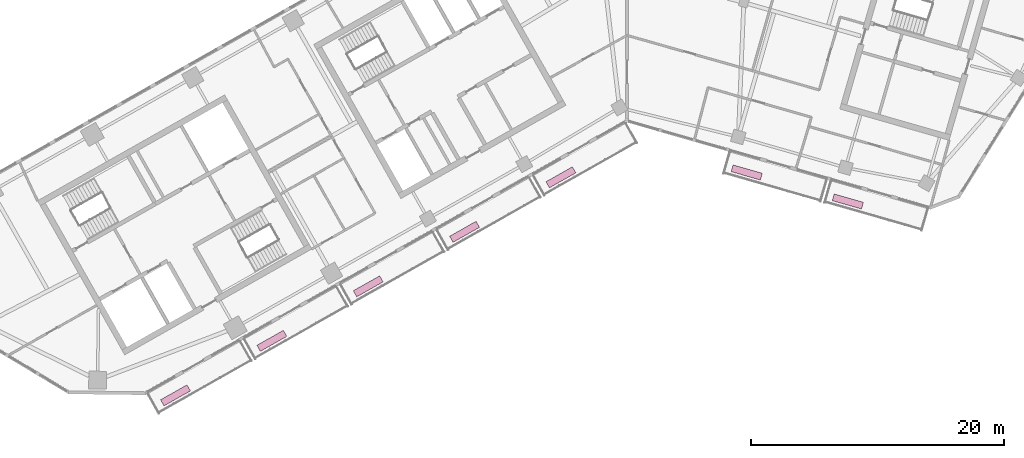
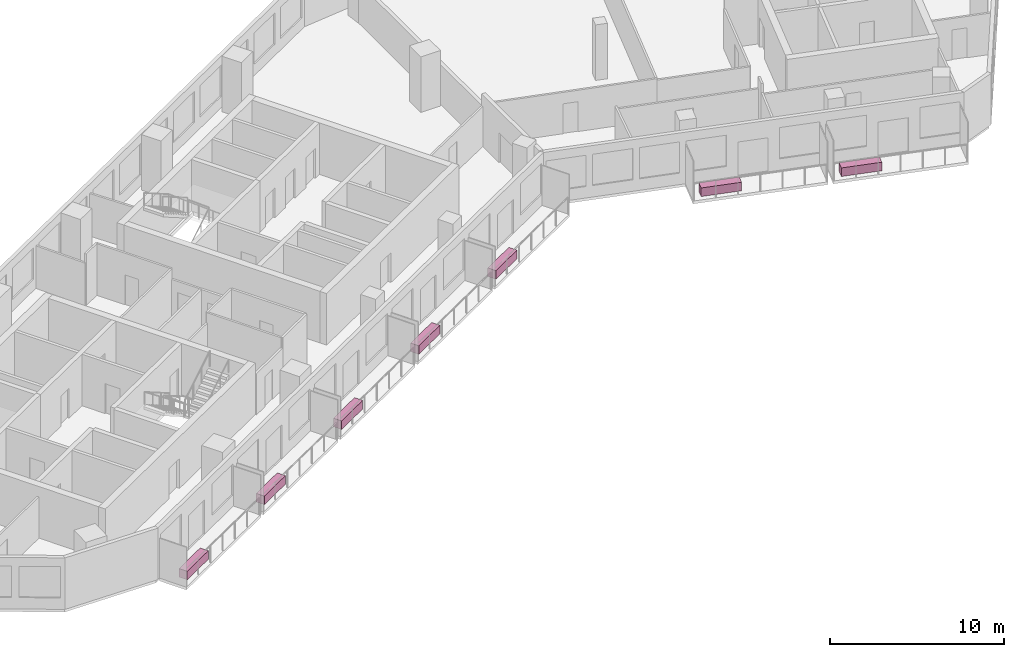
# One storey, part 12 of 12: 7 furnishings.
"""IFC4 building model written with IfcOpenShell, lengths in metres."""

import ifcopenshell
import ifcopenshell.guid

model = None  # the IFC model being written
_history = None  # IfcOwnerHistory: only IFC2X3 demands one
_inside = {}  # id of a spatial element -> (the spatial element, [elements in it])
_under = {}  # id of a project, library or spatial element -> (it, [spatial elements below it])
_declared = {}  # id of a project -> (the project, [libraries it declares])
_typed = {}  # id of a type object -> (the type object, [elements of that type])
_made_of = {}  # id of a material, layer set ... -> (it, [elements and type objects made of it])


def new_model(schema):
    """Start an empty IFC model of exactly this schema.

    Asked for "IFC4X3", IfcOpenShell would pick the latest addendum, in which some entities
    have other attributes; the version numbers below select the first issue.
    IFC2X3 requires an IfcOwnerHistory on every rooted entity: one is made here for all.
    """
    global model, _history
    if schema == "IFC4X3":
        model = ifcopenshell.file(schema_version=(4, 3, 0, 0))
    else:
        model = ifcopenshell.file(schema=schema)
    _inside.clear()
    _under.clear()
    _declared.clear()
    _typed.clear()
    _made_of.clear()
    _history = None
    if model.schema == "IFC2X3":
        org = make("IfcOrganization", Name="unknown")
        user = make(
            "IfcPersonAndOrganization",
            ThePerson=make("IfcPerson", FamilyName="unknown"),
            TheOrganization=org,
        )
        app = make(
            "IfcApplication",
            ApplicationDeveloper=org,
            Version="unknown",
            ApplicationFullName="unknown",
            ApplicationIdentifier="unknown",
        )
        _history = make(
            "IfcOwnerHistory",
            OwningUser=user,
            OwningApplication=app,
            ChangeAction="ADDED",
            CreationDate=0,
        )
    return model


def make(cls, **values):
    """One entity of the class cls with the attributes given. An attribute that is None is left unset."""
    return model.create_entity(
        cls, **{name: value for name, value in values.items() if value is not None}
    )


def rooted(cls, **values):
    """An entity with a GlobalId (a new one), such as an element, a storey or a relation."""
    return make(cls, GlobalId=ifcopenshell.guid.new(), OwnerHistory=_history, **values)


def si_unit(unit_type, name, prefix=None):
    """IfcSIUnit, for example si_unit("LENGTHUNIT", "METRE", prefix="MILLI")."""
    return make("IfcSIUnit", UnitType=unit_type, Prefix=prefix, Name=name)


def assignment(units):
    """IfcUnitAssignment: the units of a project."""
    return None if units is None else make("IfcUnitAssignment", Units=units)


def point(xyz):
    """IfcCartesianPoint."""
    return None if xyz is None else make("IfcCartesianPoint", Coordinates=xyz)


def direction(xyz):
    """IfcDirection."""
    return None if xyz is None else make("IfcDirection", DirectionRatios=xyz)


def frame(location, z_axis=None, x_axis=None):
    """IfcAxis2Placement3D, a coordinate frame: its origin and axes. An axis left out is left unset."""
    return make(
        "IfcAxis2Placement3D",
        Location=point(location),
        Axis=direction(z_axis),
        RefDirection=direction(x_axis),
    )


def frame_2d(location, x_axis=None):
    """IfcAxis2Placement2D, a coordinate frame in the plane: its origin and x axis."""
    return make(
        "IfcAxis2Placement2D", Location=point(location), RefDirection=direction(x_axis)
    )


def origin():
    """The frame at (0, 0, 0) with its axes left unset."""
    return frame((0.0, 0.0, 0.0))


def origin_2d():
    """The frame at (0, 0) in the plane with its x axis left unset."""
    return frame_2d((0.0, 0.0))


def place(relative_to, where):
    """IfcLocalPlacement: puts the frame where relative to a parent placement (None: the world)."""
    return make(
        "IfcLocalPlacement", PlacementRelTo=relative_to, RelativePlacement=where
    )


def context(
    kind, dimensions, precision=None, world=None, true_north=None, identifier=None
):
    """IfcGeometricRepresentationContext, for example the 3D "Model" context."""
    return make(
        "IfcGeometricRepresentationContext",
        ContextIdentifier=identifier,
        ContextType=kind,
        CoordinateSpaceDimension=dimensions,
        Precision=precision,
        WorldCoordinateSystem=world,
        TrueNorth=true_north,
    )


def subcontext(parent, identifier, kind, view, scale=None):
    """IfcGeometricRepresentationSubContext, for example "Body" below "Model"."""
    return make(
        "IfcGeometricRepresentationSubContext",
        ContextIdentifier=identifier,
        ContextType=kind,
        ParentContext=parent,
        TargetScale=scale,
        TargetView=view,
    )


def project(units=None, contexts=None):
    """IfcProject with its units and contexts."""
    return rooted(
        "IfcProject",
        Name="project",
        RepresentationContexts=contexts,
        UnitsInContext=assignment(units),
    )


def spatial(cls, under=None, at=None, **own):
    """A site, building, storey or space (cls), placed at a placement, below another one or the project."""
    s = rooted(cls, ObjectPlacement=at, **own)
    if under is not None:
        _under.setdefault(under.id(), (under, []))[1].append(s)
    return s


def profile(cls, at=None, kind="AREA", **sizes):
    """A parametric profile (cls). Its sizes go by their IFC names, for example OverallWidth=200.0."""
    return make(cls, ProfileType=kind, Position=at, **sizes)


def rectangle(**sizes):
    """IfcRectangleProfileDef."""
    return profile("IfcRectangleProfileDef", **sizes)


def extrude(swept, where, along, depth):
    """IfcExtrudedAreaSolid: the profile swept, set in the frame where, extruded along a direction by depth."""
    return make(
        "IfcExtrudedAreaSolid",
        SweptArea=swept,
        Position=where,
        ExtrudedDirection=direction(along),
        Depth=depth,
    )


def shape(context_of_items, identifier, shape_type, items):
    """IfcShapeRepresentation: the items that make up one representation, for example the "Body"."""
    return make(
        "IfcShapeRepresentation",
        ContextOfItems=context_of_items,
        RepresentationIdentifier=identifier,
        RepresentationType=shape_type,
        Items=items,
    )


def material(Name=None, Category=None):
    """IfcMaterial."""
    return make("IfcMaterial", Name=Name, Category=Category)


def made_of(thing, what):
    """Note that an element or type object is made of a material, layer set ...; save() writes the relation."""
    if what is not None:
        _made_of.setdefault(what.id(), (what, []))[1].append(thing)
    return thing


def type_object(cls, material=None, **own):
    """A type object (cls), such as IfcWallType, which elements share."""
    return made_of(rooted(cls, **own), material)


def element(
    cls,
    number,
    at=None,
    inside=None,
    cuts=None,
    type_object=None,
    material=None,
    context=None,
    identifier="Body",
    shape_type=None,
    held_by="IfcProductDefinitionShape",
    body=None,
    shapes=None,
    **own,
):
    """One element of the class cls, such as IfcWall. Its Tag is "e" and its number.

    at: its placement. inside: the storey or other place that contains it. cuts: it is an
    opening in that element (IfcRelVoidsElement). A single representation is given by context,
    identifier, shape_type and body (its items); several are given by shapes. held_by: the class
    of the entity that holds the representations. save() writes the other relations.
    """
    e = rooted(cls, Tag="e%d" % number, ObjectPlacement=at, **own)
    if body is not None:
        shapes = [shape(context, identifier, shape_type, body)]
    if shapes is not None:
        e.Representation = make(held_by, Representations=shapes)
    if inside is not None:
        _inside.setdefault(inside.id(), (inside, []))[1].append(e)
    if cuts is not None:
        rooted(
            "IfcRelVoidsElement", RelatingBuildingElement=cuts, RelatedOpeningElement=e
        )
    if type_object is not None:
        _typed.setdefault(type_object.id(), (type_object, []))[1].append(e)
    return made_of(e, material)


def aggregate(whole, parts):
    """IfcRelAggregates: a whole, such as a stair, and the parts it consists of."""
    return rooted("IfcRelAggregates", RelatingObject=whole, RelatedObjects=parts)


def save(model, path):
    """Write the relations noted so far, then the file.

    IfcRelAggregates (storeys below a building ...), IfcRelContainedInSpatialStructure (elements
    in a storey), IfcRelDefinesByType, IfcRelAssociatesMaterial and IfcRelDeclares: one each for
    every whole, place, type object, material and project.
    """
    for whole, parts in _under.values():
        aggregate(whole, parts)
    for where, things in _inside.values():
        rooted(
            "IfcRelContainedInSpatialStructure",
            RelatedElements=things,
            RelatingStructure=where,
        )
    for kind, things in _typed.values():
        rooted("IfcRelDefinesByType", RelatedObjects=things, RelatingType=kind)
    for what, things in _made_of.values():
        rooted("IfcRelAssociatesMaterial", RelatedObjects=things, RelatingMaterial=what)
    for by, libraries in _declared.values():
        rooted("IfcRelDeclares", RelatingContext=by, RelatedDefinitions=libraries)
    model.write(path)


model = new_model("IFC4")

# Units and contexts
model_context = context("Model", 3, precision=1e-05, world=origin(), true_north=direction((0.0, 1.0)))
body_context = subcontext(model_context, "Body", "Model", "MODEL_VIEW")
ifc_project = project(units=[si_unit("LENGTHUNIT", "METRE"), si_unit("AREAUNIT", "SQUARE_METRE"), si_unit("VOLUMEUNIT", "CUBIC_METRE"), si_unit("PLANEANGLEUNIT", "RADIAN"), si_unit("MASSUNIT", "GRAM", prefix="KILO")], contexts=[model_context])

# Site, building, storey
site_placement = place(None, origin())
site = spatial("IfcSite", under=ifc_project, at=site_placement, CompositionType="ELEMENT")
building_placement = place(site_placement, origin())
building = spatial("IfcBuilding", under=site, at=building_placement, Name="Binnacle Exchange Tower", CompositionType="ELEMENT")
storey_placement = place(building_placement, frame((0.0, 0.0, 211.39990234375)))
storey = spatial("IfcBuildingStorey", under=building, at=storey_placement, Name="L46", CompositionType="ELEMENT", Elevation=211.39990234375)

# Furnishings
ifc_material = material(Name="Concrete C35/45", Category="concrete")
furnishing_element_type = type_object("IfcFurnishingElementType", Name="PLANTER 2400x550x600", material=ifc_material)
for number, where, z_axis, x_axis, name in (
    (1, (-35.698486328125, 26.2861328125, 0.0), (0.0, 0.0, 1.0), (0.87035569594, 0.492423560103, 0.0), "Planter G01-B00a L46"),
    (2, (-28.078857421875, 30.59716796875, 0.0), (0.0, 0.0, 1.0), (0.87035569594, 0.492423560103, 0.0), "Planter G01-B01a L46"),
    (3, (-20.459228515625, 34.908203125, 0.0), (0.0, 0.0, 1.0), (0.87035569594, 0.492423560103, 0.0), "Planter G01-B02a L46"),
    (4, (-12.839599609375, 39.218994140625, 0.0), (0.0, 0.0, 1.0), (0.87035569594, 0.492423560103, 0.0), "Planter G01-B03a L46"),
    (5, (-5.22021484375, 43.530029296875, 0.0), (0.0, 0.0, 1.0), (0.87035569594, 0.492423560103, 0.0), "Planter G01-B04a L46"),
    (6, (9.474609375, 43.909912109375, 0.0), (0.0, 0.0, 1.0), (0.961261695938, -0.275637355817, 0.0), "Planter G02-B01a L46"),
    (7, (17.47265625, 41.61669921875, 0.0), (0.0, 0.0, 1.0), (0.961261695938, -0.275637355817, 0.0), "Planter G02-B02a L46"),
):
    element("IfcFurnishingElement", number, at=place(storey_placement, frame(where, z_axis=z_axis, x_axis=x_axis)), inside=storey, type_object=furnishing_element_type, Name=name, ObjectType="PLANTER", context=body_context, shape_type="SweptSolid", body=[
        extrude(rectangle(XDim=2.39990234375, YDim=0.550048828125, at=origin_2d()), origin(), (0.0, 0.0, 1.0), 0.60009765625),
    ])

save(model, "model.ifc")
